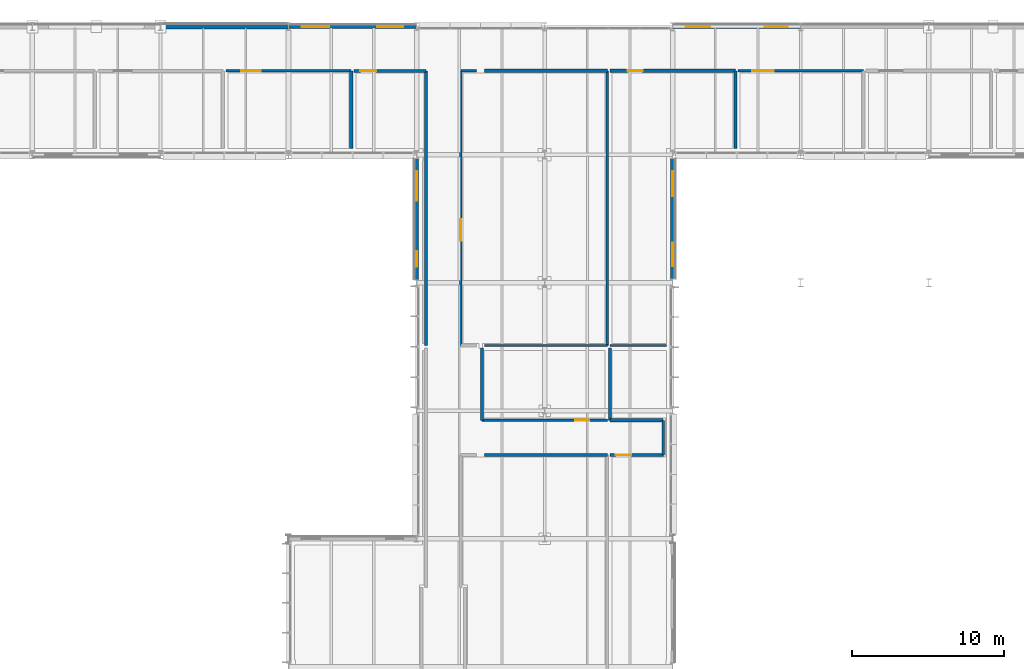
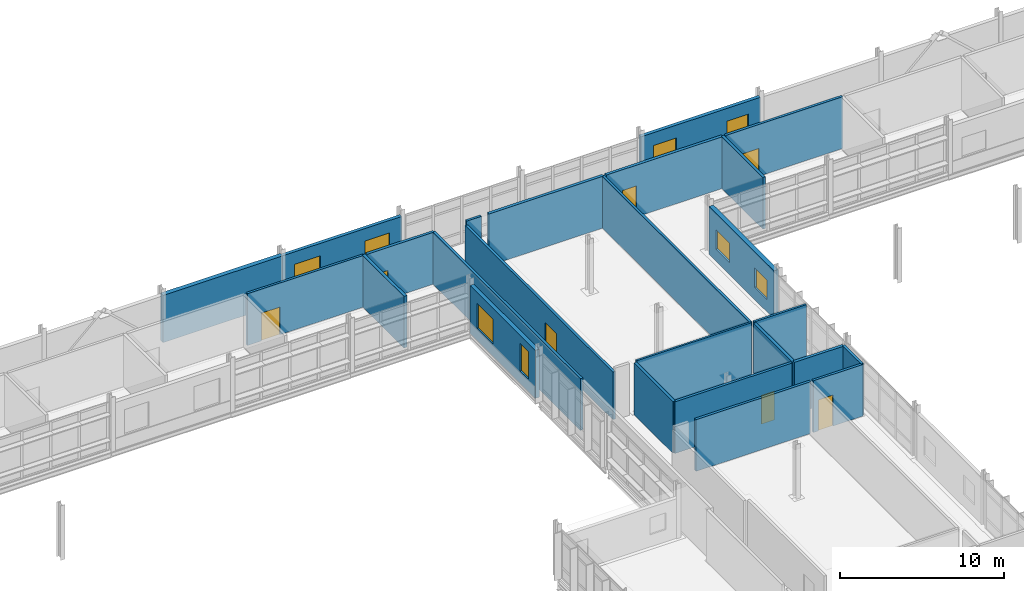
# One storey, part 127 of 151: 25 walls, 8 windows, 7 doors, 15 openings.
"""IFC4 building model written with IfcOpenShell, lengths in metres."""

import ifcopenshell
import ifcopenshell.guid

model = None  # the IFC model being written
_history = None  # IfcOwnerHistory: only IFC2X3 demands one
_inside = {}  # id of a spatial element -> (the spatial element, [elements in it])
_under = {}  # id of a project, library or spatial element -> (it, [spatial elements below it])
_declared = {}  # id of a project -> (the project, [libraries it declares])
_typed = {}  # id of a type object -> (the type object, [elements of that type])
_made_of = {}  # id of a material, layer set ... -> (it, [elements and type objects made of it])


def new_model(schema):
    """Start an empty IFC model of exactly this schema.

    Asked for "IFC4X3", IfcOpenShell would pick the latest addendum, in which some entities
    have other attributes; the version numbers below select the first issue.
    IFC2X3 requires an IfcOwnerHistory on every rooted entity: one is made here for all.
    """
    global model, _history
    if schema == "IFC4X3":
        model = ifcopenshell.file(schema_version=(4, 3, 0, 0))
    else:
        model = ifcopenshell.file(schema=schema)
    _inside.clear()
    _under.clear()
    _declared.clear()
    _typed.clear()
    _made_of.clear()
    _history = None
    if model.schema == "IFC2X3":
        org = make("IfcOrganization", Name="unknown")
        user = make(
            "IfcPersonAndOrganization",
            ThePerson=make("IfcPerson", FamilyName="unknown"),
            TheOrganization=org,
        )
        app = make(
            "IfcApplication",
            ApplicationDeveloper=org,
            Version="unknown",
            ApplicationFullName="unknown",
            ApplicationIdentifier="unknown",
        )
        _history = make(
            "IfcOwnerHistory",
            OwningUser=user,
            OwningApplication=app,
            ChangeAction="ADDED",
            CreationDate=0,
        )
    return model


def make(cls, **values):
    """One entity of the class cls with the attributes given. An attribute that is None is left unset."""
    return model.create_entity(
        cls, **{name: value for name, value in values.items() if value is not None}
    )


def rooted(cls, **values):
    """An entity with a GlobalId (a new one), such as an element, a storey or a relation."""
    return make(cls, GlobalId=ifcopenshell.guid.new(), OwnerHistory=_history, **values)


def si_unit(unit_type, name, prefix=None):
    """IfcSIUnit, for example si_unit("LENGTHUNIT", "METRE", prefix="MILLI")."""
    return make("IfcSIUnit", UnitType=unit_type, Prefix=prefix, Name=name)


def assignment(units):
    """IfcUnitAssignment: the units of a project."""
    return None if units is None else make("IfcUnitAssignment", Units=units)


def point(xyz):
    """IfcCartesianPoint."""
    return None if xyz is None else make("IfcCartesianPoint", Coordinates=xyz)


def direction(xyz):
    """IfcDirection."""
    return None if xyz is None else make("IfcDirection", DirectionRatios=xyz)


def frame(location, z_axis=None, x_axis=None):
    """IfcAxis2Placement3D, a coordinate frame: its origin and axes. An axis left out is left unset."""
    return make(
        "IfcAxis2Placement3D",
        Location=point(location),
        Axis=direction(z_axis),
        RefDirection=direction(x_axis),
    )


def frame_2d(location, x_axis=None):
    """IfcAxis2Placement2D, a coordinate frame in the plane: its origin and x axis."""
    return make(
        "IfcAxis2Placement2D", Location=point(location), RefDirection=direction(x_axis)
    )


def origin():
    """The frame at (0, 0, 0) with its axes left unset."""
    return frame((0.0, 0.0, 0.0))


def place(relative_to, where):
    """IfcLocalPlacement: puts the frame where relative to a parent placement (None: the world)."""
    return make(
        "IfcLocalPlacement", PlacementRelTo=relative_to, RelativePlacement=where
    )


def context(
    kind, dimensions, precision=None, world=None, true_north=None, identifier=None
):
    """IfcGeometricRepresentationContext, for example the 3D "Model" context."""
    return make(
        "IfcGeometricRepresentationContext",
        ContextIdentifier=identifier,
        ContextType=kind,
        CoordinateSpaceDimension=dimensions,
        Precision=precision,
        WorldCoordinateSystem=world,
        TrueNorth=true_north,
    )


def subcontext(parent, identifier, kind, view, scale=None):
    """IfcGeometricRepresentationSubContext, for example "Body" below "Model"."""
    return make(
        "IfcGeometricRepresentationSubContext",
        ContextIdentifier=identifier,
        ContextType=kind,
        ParentContext=parent,
        TargetScale=scale,
        TargetView=view,
    )


def project(units=None, contexts=None):
    """IfcProject with its units and contexts."""
    return rooted(
        "IfcProject",
        Name="project",
        RepresentationContexts=contexts,
        UnitsInContext=assignment(units),
    )


def spatial(cls, under=None, at=None, **own):
    """A site, building, storey or space (cls), placed at a placement, below another one or the project."""
    s = rooted(cls, ObjectPlacement=at, **own)
    if under is not None:
        _under.setdefault(under.id(), (under, []))[1].append(s)
    return s


def profile(cls, at=None, kind="AREA", **sizes):
    """A parametric profile (cls). Its sizes go by their IFC names, for example OverallWidth=200.0."""
    return make(cls, ProfileType=kind, Position=at, **sizes)


def rectangle(**sizes):
    """IfcRectangleProfileDef."""
    return profile("IfcRectangleProfileDef", **sizes)


def extrude(swept, where, along, depth):
    """IfcExtrudedAreaSolid: the profile swept, set in the frame where, extruded along a direction by depth."""
    return make(
        "IfcExtrudedAreaSolid",
        SweptArea=swept,
        Position=where,
        ExtrudedDirection=direction(along),
        Depth=depth,
    )


def shape(context_of_items, identifier, shape_type, items):
    """IfcShapeRepresentation: the items that make up one representation, for example the "Body"."""
    return make(
        "IfcShapeRepresentation",
        ContextOfItems=context_of_items,
        RepresentationIdentifier=identifier,
        RepresentationType=shape_type,
        Items=items,
    )


def material(Name=None, Category=None):
    """IfcMaterial."""
    return make("IfcMaterial", Name=Name, Category=Category)


def layer(
    of_material, thickness, ventilated=None, Name=None, Category=None, Priority=None
):
    """IfcMaterialLayer: one layer of a wall or slab, of a material (None: an air gap)."""
    return make(
        "IfcMaterialLayer",
        Material=of_material,
        LayerThickness=thickness,
        IsVentilated=ventilated,
        Name=Name,
        Category=Category,
        Priority=Priority,
    )


def layer_set(layers, Name=None):
    """IfcMaterialLayerSet."""
    return make("IfcMaterialLayerSet", MaterialLayers=layers, LayerSetName=Name)


def made_of(thing, what):
    """Note that an element or type object is made of a material, layer set ...; save() writes the relation."""
    if what is not None:
        _made_of.setdefault(what.id(), (what, []))[1].append(thing)
    return thing


def type_object(cls, material=None, **own):
    """A type object (cls), such as IfcWallType, which elements share."""
    return made_of(rooted(cls, **own), material)


def element(
    cls,
    number,
    at=None,
    inside=None,
    cuts=None,
    type_object=None,
    material=None,
    context=None,
    identifier="Body",
    shape_type=None,
    held_by="IfcProductDefinitionShape",
    body=None,
    shapes=None,
    **own,
):
    """One element of the class cls, such as IfcWall. Its Tag is "e" and its number.

    at: its placement. inside: the storey or other place that contains it. cuts: it is an
    opening in that element (IfcRelVoidsElement). A single representation is given by context,
    identifier, shape_type and body (its items); several are given by shapes. held_by: the class
    of the entity that holds the representations. save() writes the other relations.
    """
    e = rooted(cls, Tag="e%d" % number, ObjectPlacement=at, **own)
    if body is not None:
        shapes = [shape(context, identifier, shape_type, body)]
    if shapes is not None:
        e.Representation = make(held_by, Representations=shapes)
    if inside is not None:
        _inside.setdefault(inside.id(), (inside, []))[1].append(e)
    if cuts is not None:
        rooted(
            "IfcRelVoidsElement", RelatingBuildingElement=cuts, RelatedOpeningElement=e
        )
    if type_object is not None:
        _typed.setdefault(type_object.id(), (type_object, []))[1].append(e)
    return made_of(e, material)


def fill(opening, filler):
    """IfcRelFillsElement: the door or window that sits in an opening."""
    return rooted(
        "IfcRelFillsElement",
        RelatingOpeningElement=opening,
        RelatedBuildingElement=filler,
    )


def aggregate(whole, parts):
    """IfcRelAggregates: a whole, such as a stair, and the parts it consists of."""
    return rooted("IfcRelAggregates", RelatingObject=whole, RelatedObjects=parts)


def save(model, path):
    """Write the relations noted so far, then the file.

    IfcRelAggregates (storeys below a building ...), IfcRelContainedInSpatialStructure (elements
    in a storey), IfcRelDefinesByType, IfcRelAssociatesMaterial and IfcRelDeclares: one each for
    every whole, place, type object, material and project.
    """
    for whole, parts in _under.values():
        aggregate(whole, parts)
    for where, things in _inside.values():
        rooted(
            "IfcRelContainedInSpatialStructure",
            RelatedElements=things,
            RelatingStructure=where,
        )
    for kind, things in _typed.values():
        rooted("IfcRelDefinesByType", RelatedObjects=things, RelatingType=kind)
    for what, things in _made_of.values():
        rooted("IfcRelAssociatesMaterial", RelatedObjects=things, RelatingMaterial=what)
    for by, libraries in _declared.values():
        rooted("IfcRelDeclares", RelatingContext=by, RelatedDefinitions=libraries)
    model.write(path)


model = new_model("IFC4")

# Units and contexts
model_context = context("Model", 3, precision=1e-05, world=origin(), true_north=direction((0.0, 1.0)))
body_context = subcontext(model_context, "Body", "Model", "MODEL_VIEW")
ifc_project = project(units=[si_unit("LENGTHUNIT", "METRE"), si_unit("AREAUNIT", "SQUARE_METRE"), si_unit("VOLUMEUNIT", "CUBIC_METRE"), si_unit("PLANEANGLEUNIT", "RADIAN"), si_unit("MASSUNIT", "GRAM", prefix="KILO")], contexts=[model_context])

# Site, building, storey
site_placement = place(None, origin())
site = spatial("IfcSite", under=ifc_project, at=site_placement, CompositionType="ELEMENT")
building_placement = place(site_placement, origin())
building = spatial("IfcBuilding", under=site, at=building_placement, Name="Mersafa Astral City Hall", CompositionType="ELEMENT")
storey_placement = place(building_placement, frame((0.0, 0.0, 9.89990234375)))
storey = spatial("IfcBuildingStorey", under=building, at=storey_placement, Name="L02", CompositionType="ELEMENT", Elevation=9.89990234375)

# Wall, openings, windows
ifc_material_1 = material(Name="Precast concrete C40/50 insulated terracotta spandrel", Category="masonry")
ifc_layer_1 = layer(ifc_material_1, 0.235107421875, Name="Precast concrete C40/50 insulated terracotta spandrel")
ifc_layer_set_1 = layer_set([ifc_layer_1], Name="Precast concrete C40/50 insulated terracotta spandrel — ENV-WAL-EXT-235")
wall_type_1 = type_object("IfcWallType", Name="ENV-WAL-EXT-235", PredefinedType="STANDARD", material=ifc_layer_set_1)
wall_1_placement = place(storey_placement, frame((100.7919921875, 126.0, 0.0), z_axis=(0.0, 0.0, 1.0), x_axis=(-1.0, 0.0, 0.0)))
wall_1 = element("IfcWall", 1, at=wall_1_placement, inside=storey, type_object=wall_type_1, Name="L02 Limestone-clad exterior wall 197", PredefinedType="STANDARD", context=body_context, shape_type="SweptSolid", body=[
    extrude(rectangle(XDim=8.384033203125, YDim=0.235107421875, at=frame_2d((4.19189453125, 0.0))), origin(), (0.0, 0.0, 1.0), 3.47216796875),
])
opening_1_placement = place(wall_1_placement, frame((0.85009765625, 0.0, 0.89990234375)))
opening_1 = element("IfcOpeningElement", 2, at=opening_1_placement, cuts=wall_1, Name="Opening W-38", PredefinedType="OPENING", context=body_context, shape_type="SweptSolid", body=[
    extrude(rectangle(XDim=1.719970703125, YDim=1.64990234375, at=frame_2d((0.85986328125, 0.824951171875))), frame((0.0, 0.12744140625, 0.0), z_axis=(0.0, -1.0, 0.0), x_axis=(1.0, 0.0, 0.0)), (0.0, 0.0, 1.0), 0.255126953125),
])
opening_2_placement = place(wall_1_placement, frame((5.714111328125, 0.0, 0.89990234375)))
opening_2 = element("IfcOpeningElement", 3, at=opening_2_placement, cuts=wall_1, Name="Opening W-39", PredefinedType="OPENING", context=body_context, shape_type="SweptSolid", body=[
    extrude(rectangle(XDim=1.820068359375, YDim=1.64990234375, at=frame_2d((0.91015625, 0.824951171875))), frame((0.0, 0.12744140625, 0.0), z_axis=(0.0, -1.0, 0.0), x_axis=(1.0, 0.0, 0.0)), (0.0, 0.0, 1.0), 0.255126953125),
])
ifc_material_2 = material(Name="Solar control low-e double glazing in bronze frame", Category="glass")
window_type_1 = type_object("IfcWindowType", Name="ENV-WIN-W-38", PartitioningType="SINGLE_PANEL", PredefinedType="WINDOW", material=ifc_material_2)
window_1_placement = place(opening_1_placement, origin())
window_1 = element("IfcWindow", 4, at=window_1_placement, inside=storey, type_object=window_type_1, Name="L02 Solar punched window 197-L", OverallHeight=1.64990234375, OverallWidth=1.719970703125, PartitioningType="SINGLE_PANEL", PredefinedType="WINDOW", context=body_context, shape_type="SweptSolid", body=[
    extrude(rectangle(XDim=1.719970703125, YDim=1.64990234375, at=frame_2d((0.85986328125, 0.824951171875))), frame((0.0, 0.030029296875, 0.0), z_axis=(0.0, -1.0, 0.0), x_axis=(1.0, 0.0, 0.0)), (0.0, 0.0, 1.0), 0.06005859375),
])
fill(opening_1, window_1)
window_type_2 = type_object("IfcWindowType", Name="ENV-WIN-W-39", PartitioningType="SINGLE_PANEL", PredefinedType="WINDOW", material=ifc_material_2)
window_2_placement = place(opening_2_placement, origin())
window_2 = element("IfcWindow", 5, at=window_2_placement, inside=storey, type_object=window_type_2, Name="L02 Solar punched window 197-R", OverallHeight=1.64990234375, OverallWidth=1.820068359375, PartitioningType="SINGLE_PANEL", PredefinedType="WINDOW", context=body_context, shape_type="SweptSolid", body=[
    extrude(rectangle(XDim=1.820068359375, YDim=1.64990234375, at=frame_2d((0.91015625, 0.824951171875))), frame((0.0, 0.030029296875, 0.0), z_axis=(0.0, -1.0, 0.0), x_axis=(1.0, 0.0, 0.0)), (0.0, 0.0, 1.0), 0.06005859375),
])
fill(opening_2, window_2)

ifc_layer_2 = layer(ifc_material_1, 0.25, Name="Precast concrete C40/50 insulated terracotta spandrel")
ifc_layer_set_2 = layer_set([ifc_layer_2], Name="Precast concrete C40/50 insulated terracotta spandrel — ENV-WAL-EXT-250")
wall_type_2 = type_object("IfcWallType", Name="ENV-WAL-EXT-250", PredefinedType="STANDARD", material=ifc_layer_set_2)
wall_2_placement = place(storey_placement, frame((125.991943359375, 126.0, 0.0), z_axis=(0.0, 0.0, 1.0), x_axis=(-1.0, 0.0, 0.0)))
wall_2 = element("IfcWall", 6, at=wall_2_placement, inside=storey, type_object=wall_type_2, Name="L02 Limestone-clad exterior wall 196", PredefinedType="STANDARD", context=body_context, shape_type="SweptSolid", body=[
    extrude(rectangle(XDim=8.384033203125, YDim=0.25, at=frame_2d((4.19189453125, 0.0))), origin(), (0.0, 0.0, 1.0), 3.502197265625),
])
opening_3_placement = place(wall_2_placement, frame((0.85009765625, 0.0, 0.89990234375)))
opening_3 = element("IfcOpeningElement", 7, at=opening_3_placement, cuts=wall_2, Name="Opening W-36", PredefinedType="OPENING", context=body_context, shape_type="SweptSolid", body=[
    extrude(rectangle(XDim=1.52001953125, YDim=1.64990234375, at=frame_2d((0.760009765625, 0.824951171875))), frame((0.0, 0.135009765625, 0.0), z_axis=(0.0, -1.0, 0.0), x_axis=(1.0, 0.0, 0.0)), (0.0, 0.0, 1.0), 0.27001953125),
])
opening_4_placement = place(wall_2_placement, frame((5.9140625, 0.0, 0.89990234375)))
opening_4 = element("IfcOpeningElement", 8, at=opening_4_placement, cuts=wall_2, Name="Opening W-37", PredefinedType="OPENING", context=body_context, shape_type="SweptSolid", body=[
    extrude(rectangle(XDim=1.6201171875, YDim=1.64990234375, at=frame_2d((0.81005859375, 0.824951171875))), frame((0.0, 0.135009765625, 0.0), z_axis=(0.0, -1.0, 0.0), x_axis=(1.0, 0.0, 0.0)), (0.0, 0.0, 1.0), 0.27001953125),
])
window_type_3 = type_object("IfcWindowType", Name="ENV-WIN-W-36", PartitioningType="SINGLE_PANEL", PredefinedType="WINDOW", material=ifc_material_2)
window_3_placement = place(opening_3_placement, origin())
window_3 = element("IfcWindow", 9, at=window_3_placement, inside=storey, type_object=window_type_3, Name="L02 Solar punched window 196-L", OverallHeight=1.64990234375, OverallWidth=1.52001953125, PartitioningType="SINGLE_PANEL", PredefinedType="WINDOW", context=body_context, shape_type="SweptSolid", body=[
    extrude(rectangle(XDim=1.52001953125, YDim=1.64990234375, at=frame_2d((0.760009765625, 0.824951171875))), frame((0.0, 0.030029296875, 0.0), z_axis=(0.0, -1.0, 0.0), x_axis=(1.0, 0.0, 0.0)), (0.0, 0.0, 1.0), 0.06005859375),
])
fill(opening_3, window_3)
window_type_4 = type_object("IfcWindowType", Name="ENV-WIN-W-37", PartitioningType="SINGLE_PANEL", PredefinedType="WINDOW", material=ifc_material_2)
window_4_placement = place(opening_4_placement, origin())
window_4 = element("IfcWindow", 10, at=window_4_placement, inside=storey, type_object=window_type_4, Name="L02 Solar punched window 196-R", OverallHeight=1.64990234375, OverallWidth=1.6201171875, PartitioningType="SINGLE_PANEL", PredefinedType="WINDOW", context=body_context, shape_type="SweptSolid", body=[
    extrude(rectangle(XDim=1.6201171875, YDim=1.64990234375, at=frame_2d((0.81005859375, 0.824951171875))), frame((0.0, 0.030029296875, 0.0), z_axis=(0.0, -1.0, 0.0), x_axis=(1.0, 0.0, 0.0)), (0.0, 0.0, 1.0), 0.06005859375),
])
fill(opening_4, window_4)

ifc_material_3 = material(Name="Precast concrete C40/50 insulated limestone wall", Category="masonry")
ifc_layer_3 = layer(ifc_material_3, 0.280029296875, Name="Precast concrete C40/50 insulated limestone wall")
ifc_layer_set_3 = layer_set([ifc_layer_3], Name="Precast concrete C40/50 insulated limestone wall — ENV-WAL-EXT-280")
wall_type_3 = type_object("IfcWallType", Name="ENV-WAL-EXT-280", PredefinedType="STANDARD", material=ifc_layer_set_3)
wall_3_placement = place(storey_placement, frame((100.800048828125, 117.35400390625, 0.0), z_axis=(0.0, 0.0, 1.0), x_axis=(0.0, -1.0, 0.0)))
wall_3 = element("IfcWall", 11, at=wall_3_placement, inside=storey, type_object=wall_type_3, Name="L02 Limestone-clad exterior wall 218", PredefinedType="STANDARD", context=body_context, shape_type="SweptSolid", body=[
    extrude(rectangle(XDim=7.9580078125, YDim=0.280029296875, at=frame_2d((3.97900390625, 0.0))), origin(), (0.0, 0.0, 1.0), 3.56201171875),
])
opening_5_placement = place(wall_3_placement, frame((0.85009765625, 0.0, 0.89990234375)))
opening_5 = element("IfcOpeningElement", 12, at=opening_5_placement, cuts=wall_3, Name="Opening W-50", PredefinedType="OPENING", context=body_context, shape_type="SweptSolid", body=[
    extrude(rectangle(XDim=1.919921875, YDim=1.85009765625, at=frame_2d((0.9599609375, 0.925048828125))), frame((0.0, 0.14990234375, 0.0), z_axis=(0.0, -1.0, 0.0), x_axis=(1.0, 0.0, 0.0)), (0.0, 0.0, 1.0), 0.300048828125),
])
opening_6_placement = place(wall_3_placement, frame((6.087890625, 0.0, 0.89990234375)))
opening_6 = element("IfcOpeningElement", 13, at=opening_6_placement, cuts=wall_3, Name="Opening W-51", PredefinedType="OPENING", context=body_context, shape_type="SweptSolid", body=[
    extrude(rectangle(XDim=1.02001953125, YDim=2.050048828125, at=frame_2d((0.510009765625, 1.02490234375))), frame((0.0, 0.14990234375, 0.0), z_axis=(0.0, -1.0, 0.0), x_axis=(1.0, 0.0, 0.0)), (0.0, 0.0, 1.0), 0.300048828125),
])
window_type_5 = type_object("IfcWindowType", Name="ENV-WIN-W-50", PartitioningType="SINGLE_PANEL", PredefinedType="WINDOW", material=ifc_material_2)
window_5_placement = place(opening_5_placement, origin())
window_5 = element("IfcWindow", 14, at=window_5_placement, inside=storey, type_object=window_type_5, Name="L02 Solar punched window 218-L", OverallHeight=1.85009765625, OverallWidth=1.919921875, PartitioningType="SINGLE_PANEL", PredefinedType="WINDOW", context=body_context, shape_type="SweptSolid", body=[
    extrude(rectangle(XDim=1.919921875, YDim=1.85009765625, at=frame_2d((0.9599609375, 0.925048828125))), frame((0.0, 0.030029296875, 0.0), z_axis=(0.0, -1.0, 0.0), x_axis=(1.0, 0.0, 0.0)), (0.0, 0.0, 1.0), 0.06005859375),
])
fill(opening_5, window_5)
window_type_6 = type_object("IfcWindowType", Name="ENV-WIN-W-51", PartitioningType="SINGLE_PANEL", PredefinedType="WINDOW", material=ifc_material_2)
window_6_placement = place(opening_6_placement, origin())
window_6 = element("IfcWindow", 15, at=window_6_placement, inside=storey, type_object=window_type_6, Name="L02 Solar punched window 218-R", OverallHeight=2.050048828125, OverallWidth=1.02001953125, PartitioningType="SINGLE_PANEL", PredefinedType="WINDOW", context=body_context, shape_type="SweptSolid", body=[
    extrude(rectangle(XDim=1.02001953125, YDim=2.050048828125, at=frame_2d((0.510009765625, 1.02490234375))), frame((0.0, 0.030029296875, 0.0), z_axis=(0.0, -1.0, 0.0), x_axis=(1.0, 0.0, 0.0)), (0.0, 0.0, 1.0), 0.06005859375),
])
fill(opening_6, window_6)

ifc_layer_4 = layer(ifc_material_3, 0.31005859375, Name="Precast concrete C40/50 insulated limestone wall")
ifc_layer_set_4 = layer_set([ifc_layer_4], Name="Precast concrete C40/50 insulated limestone wall — ENV-WAL-EXT-310")
wall_type_4 = type_object("IfcWallType", Name="ENV-WAL-EXT-310", PredefinedType="STANDARD", material=ifc_layer_set_4)
wall_4_placement = place(storey_placement, frame((117.60009765625, 109.446044921875, 0.0), z_axis=(0.0, 0.0, 1.0), x_axis=(0.0, 1.0, 0.0)))
wall_4 = element("IfcWall", 16, at=wall_4_placement, inside=storey, type_object=wall_type_4, Name="L02 Limestone-clad exterior wall 174", PredefinedType="STANDARD", context=body_context, shape_type="SweptSolid", body=[
    extrude(rectangle(XDim=7.907958984375, YDim=0.31005859375, at=frame_2d((3.9541015625, 0.0))), origin(), (0.0, 0.0, 1.0), 3.56201171875),
])
opening_7_placement = place(wall_4_placement, frame((0.85009765625, 0.0, 0.89990234375)))
opening_7 = element("IfcOpeningElement", 17, at=opening_7_placement, cuts=wall_4, Name="Opening W-26", PredefinedType="OPENING", context=body_context, shape_type="SweptSolid", body=[
    extrude(rectangle(XDim=1.52001953125, YDim=1.449951171875, at=frame_2d((0.760009765625, 0.72509765625))), frame((0.0, 0.1650390625, 0.0), z_axis=(0.0, -1.0, 0.0), x_axis=(1.0, 0.0, 0.0)), (0.0, 0.0, 1.0), 0.330078125),
])
opening_8_placement = place(wall_4_placement, frame((5.43798828125, 0.0, 0.89990234375)))
opening_8 = element("IfcOpeningElement", 18, at=opening_8_placement, cuts=wall_4, Name="Opening W-27", PredefinedType="OPENING", context=body_context, shape_type="SweptSolid", body=[
    extrude(rectangle(XDim=1.6201171875, YDim=1.449951171875, at=frame_2d((0.81005859375, 0.72509765625))), frame((0.0, 0.1650390625, 0.0), z_axis=(0.0, -1.0, 0.0), x_axis=(1.0, 0.0, 0.0)), (0.0, 0.0, 1.0), 0.330078125),
])
window_type_7 = type_object("IfcWindowType", Name="ENV-WIN-W-26", PartitioningType="SINGLE_PANEL", PredefinedType="WINDOW", material=ifc_material_2)
window_7_placement = place(opening_7_placement, origin())
window_7 = element("IfcWindow", 19, at=window_7_placement, inside=storey, type_object=window_type_7, Name="L02 Solar punched window 174-L", OverallHeight=1.449951171875, OverallWidth=1.52001953125, PartitioningType="SINGLE_PANEL", PredefinedType="WINDOW", context=body_context, shape_type="SweptSolid", body=[
    extrude(rectangle(XDim=1.52001953125, YDim=1.449951171875, at=frame_2d((0.760009765625, 0.72509765625))), frame((0.0, 0.030029296875, 0.0), z_axis=(0.0, -1.0, 0.0), x_axis=(1.0, 0.0, 0.0)), (0.0, 0.0, 1.0), 0.06005859375),
])
fill(opening_7, window_7)
window_type_8 = type_object("IfcWindowType", Name="ENV-WIN-W-27", PartitioningType="SINGLE_PANEL", PredefinedType="WINDOW", material=ifc_material_2)
window_8_placement = place(opening_8_placement, origin())
window_8 = element("IfcWindow", 20, at=window_8_placement, inside=storey, type_object=window_type_8, Name="L02 Solar punched window 174-R", OverallHeight=1.449951171875, OverallWidth=1.6201171875, PartitioningType="SINGLE_PANEL", PredefinedType="WINDOW", context=body_context, shape_type="SweptSolid", body=[
    extrude(rectangle(XDim=1.6201171875, YDim=1.449951171875, at=frame_2d((0.81005859375, 0.72509765625))), frame((0.0, 0.030029296875, 0.0), z_axis=(0.0, -1.0, 0.0), x_axis=(1.0, 0.0, 0.0)), (0.0, 0.0, 1.0), 0.06005859375),
])
fill(opening_8, window_8)

# Walls
wall_5_placement = place(storey_placement, frame((92.39208984375, 126.0, 0.0), z_axis=(0.0, 0.0, 1.0), x_axis=(-1.0, 0.0, 0.0)))
element("IfcWall", 21, at=wall_5_placement, inside=storey, type_object=wall_type_4, Name="L02 Limestone-clad exterior wall 198", PredefinedType="STANDARD", context=body_context, shape_type="SweptSolid", body=[
    extrude(rectangle(XDim=8.384033203125, YDim=0.31005859375, at=frame_2d((4.19189453125, 0.0))), origin(), (0.0, 0.0, 1.0), 3.502197265625),
])
ifc_material_4 = material(Name="Acoustic steel-stud gypsum partition", Category="steel")
ifc_layer_5 = layer(ifc_material_4, 0.135009765625, Name="Acoustic steel-stud gypsum partition")
ifc_layer_set_5 = layer_set([ifc_layer_5], Name="Acoustic steel-stud gypsum partition — INT-WAL-PART-EI30-135")
wall_type_5 = type_object("IfcWallType", Name="INT-WAL-PART-EI30-135", PredefinedType="STANDARD", material=ifc_layer_set_5)
wall_6_placement = place(storey_placement, frame((113.31005859375, 105.090087890625, -0.00390625), z_axis=(0.0, 0.0, 1.0), x_axis=(-1.0, 0.0, 0.0)))
element("IfcWall", 22, at=wall_6_placement, inside=storey, type_object=wall_type_5, Name="L02 Interior partition wall 412", PredefinedType="STANDARD", context=body_context, shape_type="SweptSolid", body=[
    extrude(rectangle(XDim=8.050048828125, YDim=0.135009765625, at=frame_2d((4.02490234375, 0.0))), origin(), (0.0, 0.0, 1.0), 3.843994140625),
])
ifc_layer_6 = layer(ifc_material_4, 0.14990234375, Name="Acoustic steel-stud gypsum partition")
ifc_layer_set_6 = layer_set([ifc_layer_6], Name="Acoustic steel-stud gypsum partition — INT-WAL-PART-EI30-150")
wall_type_6 = type_object("IfcWallType", Name="INT-WAL-PART-EI30-150", PredefinedType="STANDARD", material=ifc_layer_set_6)
wall_7_placement = place(storey_placement, frame((117.179931640625, 105.090087890625, -0.00390625), z_axis=(0.0, 0.0, 1.0), x_axis=(-1.0, 0.0, 0.0)))
element("IfcWall", 23, at=wall_7_placement, inside=storey, type_object=wall_type_6, Name="L02 Interior partition wall 435", PredefinedType="STANDARD", context=body_context, shape_type="SweptSolid", body=[
    extrude(rectangle(XDim=3.68994140625, YDim=0.14990234375, at=frame_2d((1.844970703125, 0.0))), origin(), (0.0, 0.0, 1.0), 3.843994140625),
])
ifc_material_5 = material(Name="Fire-rated gypsum stud partition", Category="gypsum")
ifc_layer_7 = layer(ifc_material_5, 0.1650390625, Name="Fire-rated gypsum stud partition")
ifc_layer_set_7 = layer_set([ifc_layer_7], Name="Fire-rated gypsum stud partition — INT-WAL-PART-EI60-165")
wall_type_7 = type_object("IfcWallType", Name="INT-WAL-PART-EI60-165", PredefinedType="STANDARD", material=ifc_layer_set_7)
wall_8_placement = place(storey_placement, frame((113.31005859375, 123.10009765625, -0.00390625), z_axis=(0.0, 0.0, 1.0), x_axis=(0.0, -1.0, 0.0)))
element("IfcWall", 24, at=wall_8_placement, inside=storey, type_object=wall_type_7, Name="L02 Interior partition wall 411", PredefinedType="STANDARD", context=body_context, shape_type="SweptSolid", body=[
    extrude(rectangle(XDim=18.010009765625, YDim=0.1650390625, at=frame_2d((9.0048828125, 0.0))), origin(), (0.0, 0.0, 1.0), 3.843994140625),
])
wall_9_placement = place(storey_placement, frame((103.699951171875, 123.10009765625, -0.00390625), z_axis=(0.0, 0.0, 1.0), x_axis=(1.0, 0.0, 0.0)))
element("IfcWall", 25, at=wall_9_placement, inside=storey, type_object=wall_type_7, Name="L02 Interior partition wall 415", PredefinedType="STANDARD", context=body_context, shape_type="SweptSolid", body=[
    extrude(rectangle(XDim=1.0400390625, YDim=0.1650390625, at=frame_2d((0.52001953125, 0.0))), origin(), (0.0, 0.0, 1.0), 3.843994140625),
])
wall_10_placement = place(storey_placement, frame((116.97998046875, 97.89990234375, -0.00390625), z_axis=(0.0, 0.0, 1.0), x_axis=(0.0, 1.0, 0.0)))
element("IfcWall", 26, at=wall_10_placement, inside=storey, type_object=wall_type_7, Name="L02 Interior partition wall 439", PredefinedType="STANDARD", context=body_context, shape_type="SweptSolid", body=[
    extrude(rectangle(XDim=2.280029296875, YDim=0.1650390625, at=frame_2d((1.14013671875, 0.0))), origin(), (0.0, 0.0, 1.0), 3.843994140625),
])

# Wall, opening, door
wall_11_placement = place(storey_placement, frame((88.2900390625, 123.10009765625, -0.00390625), z_axis=(0.0, 0.0, 1.0), x_axis=(1.0, 0.0, 0.0)))
wall_11 = element("IfcWall", 27, at=wall_11_placement, inside=storey, type_object=wall_type_7, Name="L02 Interior partition wall 487", PredefinedType="STANDARD", context=body_context, shape_type="SweptSolid", body=[
    extrude(rectangle(XDim=8.219970703125, YDim=0.1650390625, at=frame_2d((4.10986328125, 0.0))), origin(), (0.0, 0.0, 1.0), 3.843994140625),
])
opening_9_placement = place(wall_11_placement, frame((1.00390625, 0.0, 0.0)))
opening_9 = element("IfcOpeningElement", 28, at=opening_9_placement, cuts=wall_11, Name="Opening D-06", PredefinedType="OPENING", context=body_context, shape_type="SweptSolid", body=[
    extrude(rectangle(XDim=1.280029296875, YDim=2.06005859375, at=frame_2d((0.64013671875, 1.030029296875))), frame((0.0, 0.092529296875, 0.0), z_axis=(0.0, -1.0, 0.0), x_axis=(1.0, 0.0, 0.0)), (0.0, 0.0, 1.0), 0.18505859375),
])
ifc_material_6 = material(Name="Cedar veneered acoustic fire-rated timber door", Category="wood")
door_type_1 = type_object("IfcDoorType", Name="INT-DR-RM-D-06", OperationType="NOTDEFINED", PredefinedType="DOOR", material=ifc_material_6)
door_1_placement = place(opening_9_placement, origin())
door_1 = element("IfcDoor", 29, at=door_1_placement, inside=storey, type_object=door_type_1, Name="L02 Press Gallery L02-20 Entrance Door", OperationType="SINGLE_SWING_RIGHT", OverallHeight=2.06005859375, OverallWidth=1.280029296875, PredefinedType="DOOR", context=body_context, shape_type="SweptSolid", body=[
    extrude(rectangle(XDim=1.280029296875, YDim=2.06005859375, at=frame_2d((0.64013671875, 1.030029296875))), frame((0.0, 0.02490234375, 0.0), z_axis=(0.0, -1.0, 0.0), x_axis=(1.0, 0.0, 0.0)), (0.0, 0.0, 1.0), 0.050048828125),
])
fill(opening_9, door_1)

# Wall
ifc_material_7 = material(Name="Acoustic twin-stud gypsum partition", Category="gypsum")
ifc_layer_8 = layer(ifc_material_7, 0.179931640625, Name="Acoustic twin-stud gypsum partition")
ifc_layer_set_8 = layer_set([ifc_layer_8], Name="Acoustic twin-stud gypsum partition — INT-WAL-PART-EI60-180")
wall_type_8 = type_object("IfcWallType", Name="INT-WAL-PART-EI60-180", PredefinedType="STANDARD", material=ifc_layer_set_8)
wall_12_placement = place(storey_placement, frame((105.260009765625, 97.89990234375, -0.00390625), z_axis=(0.0, 0.0, 1.0), x_axis=(1.0, 0.0, 0.0)))
element("IfcWall", 30, at=wall_12_placement, inside=storey, type_object=wall_type_8, Name="L02 Interior partition wall 406", PredefinedType="STANDARD", context=body_context, shape_type="SweptSolid", body=[
    extrude(rectangle(XDim=8.050048828125, YDim=0.179931640625, at=frame_2d((4.02490234375, 0.0))), origin(), (0.0, 0.0, 1.0), 3.843994140625),
])

# Wall, opening, door
wall_13_placement = place(storey_placement, frame((103.699951171875, 105.090087890625, -0.00390625), z_axis=(0.0, 0.0, 1.0), x_axis=(0.0, 1.0, 0.0)))
wall_13 = element("IfcWall", 31, at=wall_13_placement, inside=storey, type_object=wall_type_8, Name="L02 Interior partition wall 414", PredefinedType="STANDARD", context=body_context, shape_type="SweptSolid", body=[
    extrude(rectangle(XDim=18.010009765625, YDim=0.179931640625, at=frame_2d((9.0048828125, 0.0))), origin(), (0.0, 0.0, 1.0), 3.535888671875),
])
opening_10_placement = place(wall_13_placement, frame((6.8642578125, 0.0, 0.0)))
opening_10 = element("IfcOpeningElement", 32, at=opening_10_placement, cuts=wall_13, Name="Opening D-25", PredefinedType="OPENING", context=body_context, shape_type="SweptSolid", body=[
    extrude(rectangle(XDim=1.39990234375, YDim=2.219970703125, at=frame_2d((0.699951171875, 1.10986328125))), frame((0.0, 0.099853515625, 0.0), z_axis=(0.0, -1.0, 0.0), x_axis=(1.0, 0.0, 0.0)), (0.0, 0.0, 1.0), 0.199951171875),
])
door_type_2 = type_object("IfcDoorType", Name="INT-DR-RM-D-25", OperationType="NOTDEFINED", PredefinedType="DOOR", material=ifc_material_6)
door_2_placement = place(opening_10_placement, origin())
door_2 = element("IfcDoor", 33, at=door_2_placement, inside=storey, type_object=door_type_2, Name="L02 Standing Committee Room L02-03 Entrance Door", OperationType="SINGLE_SWING_LEFT", OverallHeight=2.219970703125, OverallWidth=1.39990234375, PredefinedType="DOOR", context=body_context, shape_type="SweptSolid", body=[
    extrude(rectangle(XDim=1.39990234375, YDim=2.219970703125, at=frame_2d((0.699951171875, 1.10986328125))), frame((0.0, 0.02490234375, 0.0), z_axis=(0.0, -1.0, 0.0), x_axis=(1.0, 0.0, 0.0)), (0.0, 0.0, 1.0), 0.050048828125),
])
fill(opening_10, door_2)

wall_14_placement = place(storey_placement, frame((113.489990234375, 97.89990234375, -0.00390625), z_axis=(0.0, 0.0, 1.0), x_axis=(1.0, 0.0, 0.0)))
wall_14 = element("IfcWall", 34, at=wall_14_placement, inside=storey, type_object=wall_type_8, Name="L02 Interior partition wall 438", PredefinedType="STANDARD", context=body_context, shape_type="SweptSolid", body=[
    extrude(rectangle(XDim=3.489990234375, YDim=0.179931640625, at=frame_2d((1.7451171875, 0.0))), origin(), (0.0, 0.0, 1.0), 3.843994140625),
])
opening_11_placement = place(wall_14_placement, frame((0.360107421875, 0.0, 0.0)))
opening_11 = element("IfcOpeningElement", 35, at=opening_11_placement, cuts=wall_14, Name="Opening D-30", PredefinedType="OPENING", context=body_context, shape_type="SweptSolid", body=[
    extrude(rectangle(XDim=1.0400390625, YDim=2.300048828125, at=frame_2d((0.52001953125, 1.14990234375))), frame((0.0, 0.099853515625, 0.0), z_axis=(0.0, -1.0, 0.0), x_axis=(1.0, 0.0, 0.0)), (0.0, 0.0, 1.0), 0.199951171875),
])
door_type_3 = type_object("IfcDoorType", Name="INT-DR-RM-D-30", OperationType="NOTDEFINED", PredefinedType="DOOR", material=ifc_material_6)
door_3_placement = place(opening_11_placement, origin())
door_3 = element("IfcDoor", 36, at=door_3_placement, inside=storey, type_object=door_type_3, Name="L02 GIS & Cadastre Mapping Laboratory L02-08 Entrance Door", OperationType="SINGLE_SWING_RIGHT", OverallHeight=2.300048828125, OverallWidth=1.0400390625, PredefinedType="DOOR", context=body_context, shape_type="SweptSolid", body=[
    extrude(rectangle(XDim=1.0400390625, YDim=2.300048828125, at=frame_2d((0.52001953125, 1.14990234375))), frame((0.0, 0.02490234375, 0.0), z_axis=(0.0, -1.0, 0.0), x_axis=(1.0, 0.0, 0.0)), (0.0, 0.0, 1.0), 0.050048828125),
])
fill(opening_11, door_3)

wall_15_placement = place(storey_placement, frame((121.889892578125, 123.10009765625, -0.00390625), z_axis=(0.0, 0.0, 1.0), x_axis=(1.0, 0.0, 0.0)))
wall_15 = element("IfcWall", 37, at=wall_15_placement, inside=storey, type_object=wall_type_8, Name="L02 Interior partition wall 490", PredefinedType="STANDARD", context=body_context, shape_type="SweptSolid", body=[
    extrude(rectangle(XDim=8.22021484375, YDim=0.179931640625, at=frame_2d((4.110107421875, 0.0))), origin(), (0.0, 0.0, 1.0), 3.843994140625),
])
opening_12_placement = place(wall_15_placement, frame((0.944091796875, 0.0, 0.0)))
opening_12 = element("IfcOpeningElement", 38, at=opening_12_placement, cuts=wall_15, Name="Opening D-07", PredefinedType="OPENING", context=body_context, shape_type="SweptSolid", body=[
    extrude(rectangle(XDim=1.39990234375, YDim=2.06005859375, at=frame_2d((0.699951171875, 1.030029296875))), frame((0.0, 0.099853515625, 0.0), z_axis=(0.0, -1.0, 0.0), x_axis=(1.0, 0.0, 0.0)), (0.0, 0.0, 1.0), 0.199951171875),
])
door_type_4 = type_object("IfcDoorType", Name="INT-DR-RM-D-07", OperationType="NOTDEFINED", PredefinedType="DOOR", material=ifc_material_6)
door_4_placement = place(opening_12_placement, origin())
door_4 = element("IfcDoor", 39, at=door_4_placement, inside=storey, type_object=door_type_4, Name="L02 Standing Committee Room L02-21 Entrance Door", OperationType="SINGLE_SWING_LEFT", OverallHeight=2.06005859375, OverallWidth=1.39990234375, PredefinedType="DOOR", context=body_context, shape_type="SweptSolid", body=[
    extrude(rectangle(XDim=1.39990234375, YDim=2.06005859375, at=frame_2d((0.699951171875, 1.030029296875))), frame((0.0, 0.02490234375, 0.0), z_axis=(0.0, -1.0, 0.0), x_axis=(1.0, 0.0, 0.0)), (0.0, 0.0, 1.0), 0.050048828125),
])
fill(opening_12, door_4)

wall_16_placement = place(storey_placement, frame((113.31005859375, 100.179931640625, -0.00390625), z_axis=(0.0, 0.0, 1.0), x_axis=(-1.0, 0.0, 0.0)))
wall_16 = element("IfcWall", 40, at=wall_16_placement, inside=storey, type_object=wall_type_8, Name="L02 Interior partition wall 498", PredefinedType="STANDARD", context=body_context, shape_type="SweptSolid", body=[
    extrude(rectangle(XDim=8.219970703125, YDim=0.179931640625, at=frame_2d((4.10986328125, 0.0))), origin(), (0.0, 0.0, 1.0), 3.843994140625),
])
opening_13_placement = place(wall_16_placement, frame((1.18408203125, 0.0, 0.0)))
opening_13 = element("IfcOpeningElement", 41, at=opening_13_placement, cuts=wall_16, Name="Opening D-10", PredefinedType="OPENING", context=body_context, shape_type="SweptSolid", body=[
    extrude(rectangle(XDim=0.919921875, YDim=2.139892578125, at=frame_2d((0.4599609375, 1.06982421875))), frame((0.0, 0.099853515625, 0.0), z_axis=(0.0, -1.0, 0.0), x_axis=(1.0, 0.0, 0.0)), (0.0, 0.0, 1.0), 0.199951171875),
])
door_type_5 = type_object("IfcDoorType", Name="INT-DR-RM-D-10", OperationType="NOTDEFINED", PredefinedType="DOOR", material=ifc_material_6)
door_5_placement = place(opening_13_placement, origin())
door_5 = element("IfcDoor", 42, at=door_5_placement, inside=storey, type_object=door_type_5, Name="L02 Municipal Reference Reading Room L02-24 Entrance Door", OperationType="SINGLE_SWING_RIGHT", OverallHeight=2.139892578125, OverallWidth=0.919921875, PredefinedType="DOOR", context=body_context, shape_type="SweptSolid", body=[
    extrude(rectangle(XDim=0.919921875, YDim=2.139892578125, at=frame_2d((0.4599609375, 1.06982421875))), frame((0.0, 0.02490234375, 0.0), z_axis=(0.0, -1.0, 0.0), x_axis=(1.0, 0.0, 0.0)), (0.0, 0.0, 1.0), 0.050048828125),
])
fill(opening_13, door_5)

# Walls
wall_17_placement = place(storey_placement, frame((101.419921875, 123.10009765625, -0.00390625), z_axis=(0.0, 0.0, 1.0), x_axis=(0.0, -1.0, 0.0)))
element("IfcWall", 43, at=wall_17_placement, inside=storey, type_object=wall_type_8, Name="L02 Interior partition wall 502", PredefinedType="STANDARD", context=body_context, shape_type="SweptSolid", body=[
    extrude(rectangle(XDim=18.010009765625, YDim=0.179931640625, at=frame_2d((9.0048828125, 0.0))), origin(), (0.0, 0.0, 1.0), 3.843994140625),
])
ifc_layer_9 = layer(ifc_material_7, 0.195068359375, Name="Acoustic twin-stud gypsum partition")
ifc_layer_set_9 = layer_set([ifc_layer_9], Name="Acoustic twin-stud gypsum partition — INT-WAL-PART-EI60-195")
wall_type_9 = type_object("IfcWallType", Name="INT-WAL-PART-EI60-195", PredefinedType="STANDARD", material=ifc_layer_set_9)
wall_18_placement = place(storey_placement, frame((121.7099609375, 123.10009765625, -0.00390625), z_axis=(0.0, 0.0, 1.0), x_axis=(0.0, -1.0, 0.0)))
element("IfcWall", 44, at=wall_18_placement, inside=storey, type_object=wall_type_9, Name="L02 Interior partition wall 437", PredefinedType="STANDARD", context=body_context, shape_type="SweptSolid", body=[
    extrude(rectangle(XDim=5.080078125, YDim=0.195068359375, at=frame_2d((2.5400390625, 0.0))), origin(), (0.0, 0.0, 1.0), 3.843994140625),
])
for number, where, z_axis, x_axis, name in (
    (45, (113.489990234375, 100.179931640625, -0.00390625), (0.0, 0.0, 1.0), (0.0, 1.0, 0.0), "L02 Interior partition wall 441"),
    (46, (105.090087890625, 100.179931640625, -0.00390625), (0.0, 0.0, 1.0), (0.0, 1.0, 0.0), "L02 Interior partition wall 497"),
):
    element("IfcWall", number, at=place(storey_placement, frame(where, z_axis=z_axis, x_axis=x_axis)), inside=storey, type_object=wall_type_9, Name=name, PredefinedType="STANDARD", context=body_context, shape_type="SweptSolid", body=[
        extrude(rectangle(XDim=4.72998046875, YDim=0.195068359375, at=frame_2d((2.364990234375, 0.0))), origin(), (0.0, 0.0, 1.0), 3.843994140625),
    ])

# Wall, opening, door
wall_19_placement = place(storey_placement, frame((96.68994140625, 123.10009765625, -0.00390625), z_axis=(0.0, 0.0, 1.0), x_axis=(1.0, 0.0, 0.0)))
wall_19 = element("IfcWall", 47, at=wall_19_placement, inside=storey, type_object=wall_type_9, Name="L02 Interior partition wall 501", PredefinedType="STANDARD", context=body_context, shape_type="SweptSolid", body=[
    extrude(rectangle(XDim=4.72998046875, YDim=0.195068359375, at=frame_2d((2.364990234375, 0.0))), origin(), (0.0, 0.0, 1.0), 3.843994140625),
])
opening_14_placement = place(wall_19_placement, frame((0.426025390625, 0.0, 0.0)))
opening_14 = element("IfcOpeningElement", 48, at=opening_14_placement, cuts=wall_19, Name="Opening D-12", PredefinedType="OPENING", context=body_context, shape_type="SweptSolid", body=[
    extrude(rectangle(XDim=1.0400390625, YDim=2.139892578125, at=frame_2d((0.52001953125, 1.06982421875))), frame((0.0, 0.107421875, 0.0), z_axis=(0.0, -1.0, 0.0), x_axis=(1.0, 0.0, 0.0)), (0.0, 0.0, 1.0), 0.215087890625),
])
door_type_6 = type_object("IfcDoorType", Name="INT-DR-RM-D-12", OperationType="NOTDEFINED", PredefinedType="DOOR", material=ifc_material_6)
door_6_placement = place(opening_14_placement, origin())
door_6 = element("IfcDoor", 49, at=door_6_placement, inside=storey, type_object=door_type_6, Name="L02 GIS & Cadastre Mapping Laboratory L02-26 Entrance Door", OperationType="SINGLE_SWING_RIGHT", OverallHeight=2.139892578125, OverallWidth=1.0400390625, PredefinedType="DOOR", context=body_context, shape_type="SweptSolid", body=[
    extrude(rectangle(XDim=1.0400390625, YDim=2.139892578125, at=frame_2d((0.52001953125, 1.06982421875))), frame((0.0, 0.02490234375, 0.0), z_axis=(0.0, -1.0, 0.0), x_axis=(1.0, 0.0, 0.0)), (0.0, 0.0, 1.0), 0.050048828125),
])
fill(opening_14, door_6)

# Wall
ifc_material_8 = material(Name="Autoclaved aerated concrete blockwork plastered", Category="masonry")
ifc_layer_10 = layer(ifc_material_8, 0.2099609375, Name="Autoclaved aerated concrete blockwork plastered")
ifc_layer_set_10 = layer_set([ifc_layer_10], Name="Autoclaved aerated concrete blockwork plastered — INT-WAL-PART-EI60-210")
wall_type_10 = type_object("IfcWallType", Name="INT-WAL-PART-EI60-210", PredefinedType="STANDARD", material=ifc_layer_set_10)
wall_20_placement = place(storey_placement, frame((105.260009765625, 123.10009765625, -0.00390625), z_axis=(0.0, 0.0, 1.0), x_axis=(1.0, 0.0, 0.0)))
element("IfcWall", 50, at=wall_20_placement, inside=storey, type_object=wall_type_10, Name="L02 Interior partition wall 416", PredefinedType="STANDARD", context=body_context, shape_type="SweptSolid", body=[
    extrude(rectangle(XDim=8.050048828125, YDim=0.2099609375, at=frame_2d((4.02490234375, 0.0))), origin(), (0.0, 0.0, 1.0), 3.843994140625),
])

# Wall, opening, door
wall_21_placement = place(storey_placement, frame((113.489990234375, 123.10009765625, -0.00390625), z_axis=(0.0, 0.0, 1.0), x_axis=(1.0, 0.0, 0.0)))
wall_21 = element("IfcWall", 51, at=wall_21_placement, inside=storey, type_object=wall_type_10, Name="L02 Interior partition wall 436", PredefinedType="STANDARD", context=body_context, shape_type="SweptSolid", body=[
    extrude(rectangle(XDim=8.219970703125, YDim=0.2099609375, at=frame_2d((4.10986328125, 0.0))), origin(), (0.0, 0.0, 1.0), 3.843994140625),
])
opening_15_placement = place(wall_21_placement, frame((1.154052734375, 0.0, 0.0)))
opening_15 = element("IfcOpeningElement", 52, at=opening_15_placement, cuts=wall_21, Name="Opening D-29", PredefinedType="OPENING", context=body_context, shape_type="SweptSolid", body=[
    extrude(rectangle(XDim=0.97998046875, YDim=2.300048828125, at=frame_2d((0.489990234375, 1.14990234375))), frame((0.0, 0.114990234375, 0.0), z_axis=(0.0, -1.0, 0.0), x_axis=(1.0, 0.0, 0.0)), (0.0, 0.0, 1.0), 0.22998046875),
])
door_type_7 = type_object("IfcDoorType", Name="INT-DR-RM-D-29", OperationType="NOTDEFINED", PredefinedType="DOOR", material=ifc_material_6)
door_7_placement = place(opening_15_placement, origin())
door_7 = element("IfcDoor", 53, at=door_7_placement, inside=storey, type_object=door_type_7, Name="L02 Urban Planning Studio L02-07 Entrance Door", OperationType="SINGLE_SWING_LEFT", OverallHeight=2.300048828125, OverallWidth=0.97998046875, PredefinedType="DOOR", context=body_context, shape_type="SweptSolid", body=[
    extrude(rectangle(XDim=0.97998046875, YDim=2.300048828125, at=frame_2d((0.489990234375, 1.14990234375))), frame((0.0, 0.02490234375, 0.0), z_axis=(0.0, -1.0, 0.0), x_axis=(1.0, 0.0, 0.0)), (0.0, 0.0, 1.0), 0.050048828125),
])
fill(opening_15, door_7)

# Walls
wall_22_placement = place(storey_placement, frame((116.97998046875, 100.179931640625, -0.00390625), z_axis=(0.0, 0.0, 1.0), x_axis=(-1.0, 0.0, 0.0)))
element("IfcWall", 54, at=wall_22_placement, inside=storey, type_object=wall_type_10, Name="L02 Interior partition wall 440", PredefinedType="STANDARD", context=body_context, shape_type="SweptSolid", body=[
    extrude(rectangle(XDim=3.489990234375, YDim=0.2099609375, at=frame_2d((1.7451171875, 0.0))), origin(), (0.0, 0.0, 1.0), 3.843994140625),
])
wall_23_placement = place(storey_placement, frame((96.510009765625, 123.10009765625, -0.00390625), z_axis=(0.0, 0.0, 1.0), x_axis=(0.0, -1.0, 0.0)))
element("IfcWall", 55, at=wall_23_placement, inside=storey, type_object=wall_type_10, Name="L02 Interior partition wall 488", PredefinedType="STANDARD", context=body_context, shape_type="SweptSolid", body=[
    extrude(rectangle(XDim=5.080078125, YDim=0.2099609375, at=frame_2d((2.5400390625, 0.0))), origin(), (0.0, 0.0, 1.0), 3.843994140625),
])

save(model, "model.ifc")
